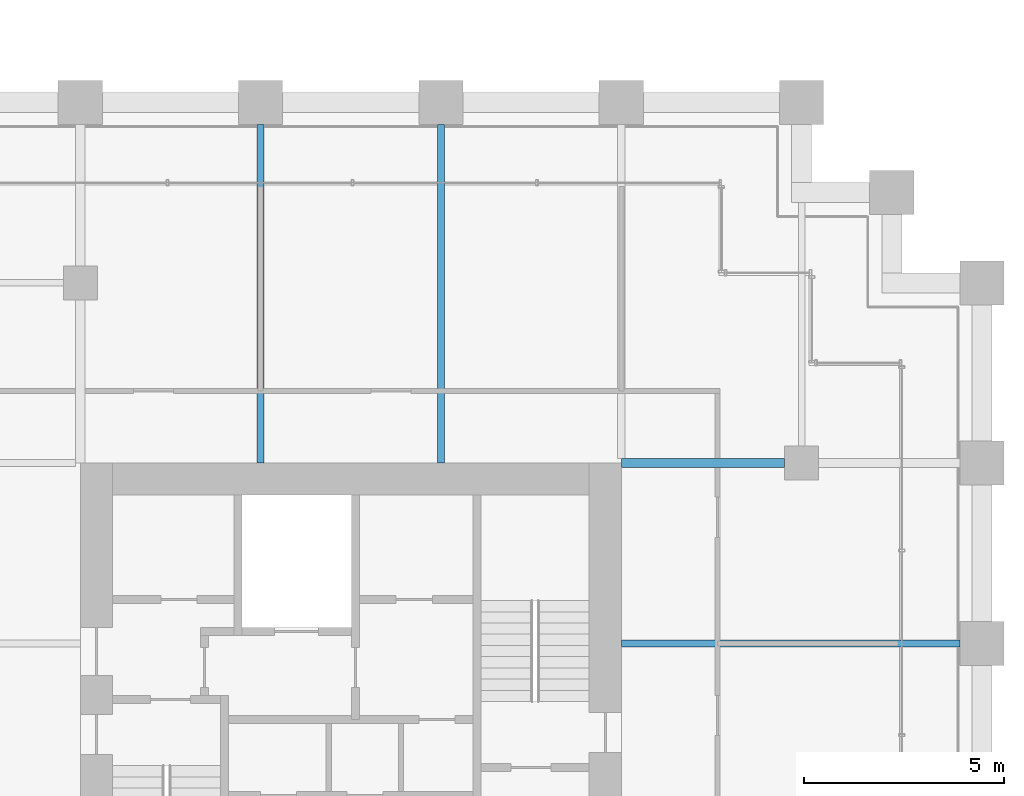
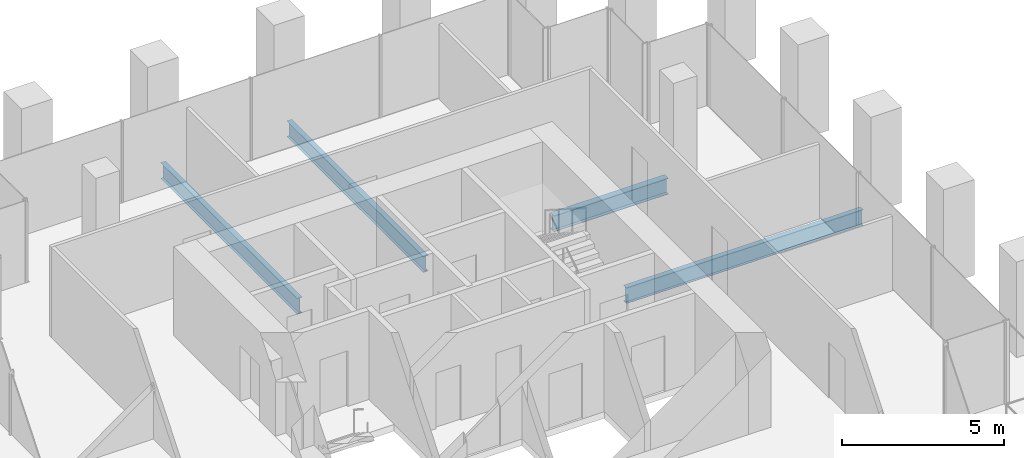
# One storey, part 43 of 54: 4 beams.
"""IFC4 building model written with IfcOpenShell, lengths in metres."""

from ifc_helpers import new_model, si_unit, direction, frame, origin, origin_2d, place, context, subcontext, project, spatial, i_section, extrude, material, material_profile, profile_set, type_object, element, save


model = new_model("IFC4")

# Units and contexts
model_context = context("Model", 3, precision=1e-05, world=origin(), true_north=direction((0.0, 1.0)))
body_context = subcontext(model_context, "Body", "Model", "MODEL_VIEW")
ifc_project = project(units=[si_unit("LENGTHUNIT", "METRE"), si_unit("AREAUNIT", "SQUARE_METRE"), si_unit("VOLUMEUNIT", "CUBIC_METRE"), si_unit("PLANEANGLEUNIT", "RADIAN"), si_unit("MASSUNIT", "GRAM", prefix="KILO")], contexts=[model_context])

# Site, building, storey
site_placement = place(None, origin())
site = spatial("IfcSite", under=ifc_project, at=site_placement, CompositionType="ELEMENT")
building_placement = place(site_placement, origin())
building = spatial("IfcBuilding", under=site, at=building_placement, Name="Altepetl Exchange Towers", CompositionType="ELEMENT")
storey_placement = place(building_placement, frame((0.0, 0.0, 61.800048828125)))
storey = spatial("IfcBuildingStorey", under=building, at=storey_placement, Name="L14", CompositionType="ELEMENT", Elevation=61.800048828125)

# Beams
ifc_material = material(Name="Steel S355", Category="steel")
ifc_material_profile_1 = material_profile(ifc_material, i_section(OverallWidth=0.177978515625, OverallDepth=0.59912109375, WebThickness=0.010009765625, FlangeThickness=0.0126953125, at=origin_2d()), Name="W24X55")
ifc_profile_set_1 = profile_set([ifc_material_profile_1], Name="Steel S355")
beam_type_1 = type_object("IfcBeamType", Name="Floor beam W24X55", PredefinedType="BEAM", material=ifc_profile_set_1)
for number, where, z_axis, x_axis, name in (
    (1, (108.0, 49.5, -0.449462890625), (0.0, 1.0, 0.0), (-1.0, 0.0, 0.0), "bm:B:L14:000"),
    (2, (112.5, 49.5, -0.449462890625), (0.0, 1.0, 0.0), (-1.0, 0.0, 0.0), "bm:B:L14:001"),
    (3, (117.0, 45.0, -0.449462890625), (1.0, 0.0, 0.0), (0.0, 1.0, 0.0), "bm:B:L14:007"),
):
    element("IfcBeam", number, at=place(storey_placement, frame(where, z_axis=z_axis, x_axis=x_axis)), inside=storey, type_object=beam_type_1, Name=name, PredefinedType="BEAM", context=body_context, shape_type="SweptSolid", body=[
        extrude(i_section(OverallWidth=0.177978515625, OverallDepth=0.59912109375, WebThickness=0.010009765625, FlangeThickness=0.0126953125, at=origin_2d()), origin(), (0.0, 0.0, 1.0), 8.449951171875),
    ])
ifc_material_profile_2 = material_profile(ifc_material, i_section(OverallWidth=0.22802734375, OverallDepth=0.60791015625, WebThickness=0.01123046875, FlangeThickness=0.017333984375, at=origin_2d()), Name="W24X76")
ifc_profile_set_2 = profile_set([ifc_material_profile_2], Name="Steel S355")
beam_type_2 = type_object("IfcBeamType", Name="Girder W24X76", PredefinedType="BEAM", material=ifc_profile_set_2)
beam_placement = place(storey_placement, frame((117.0, 49.5, -0.4541015625), z_axis=(1.0, 0.0, 0.0), x_axis=(0.0, 1.0, 0.0)))
element("IfcBeam", 4, at=beam_placement, inside=storey, type_object=beam_type_2, Name="gd:B:L14:000", PredefinedType="BEAM", context=body_context, shape_type="SweptSolid", body=[
    extrude(i_section(OverallWidth=0.22802734375, OverallDepth=0.60791015625, WebThickness=0.01123046875, FlangeThickness=0.017333984375, at=origin_2d()), origin(), (0.0, 0.0, 1.0), 4.074951171875),
])

save(model, "model.ifc")
